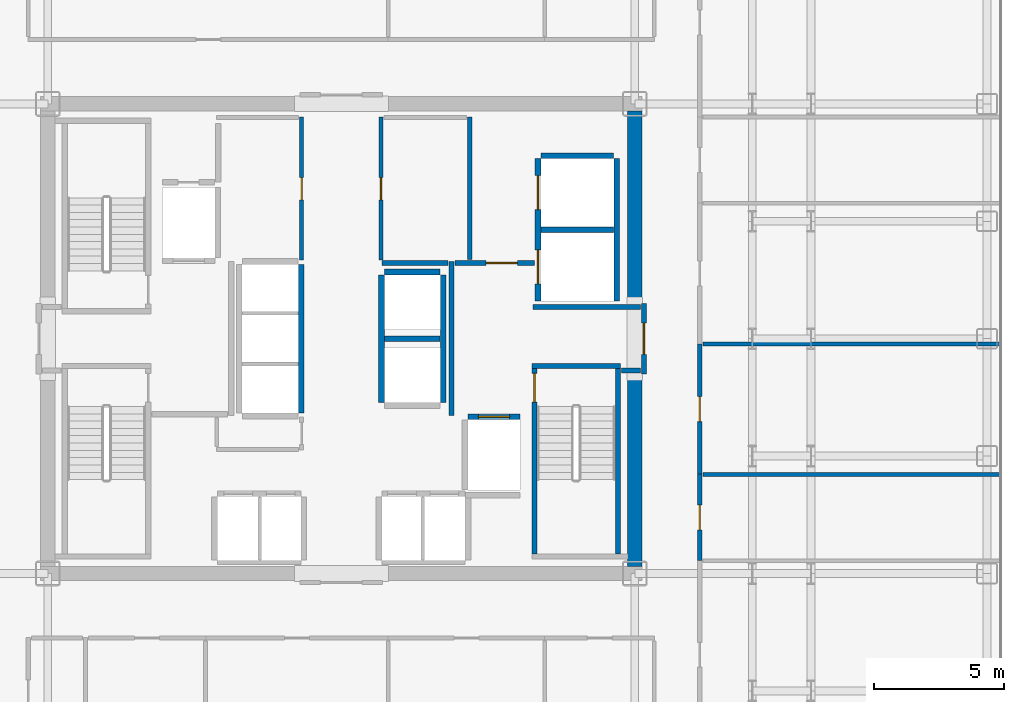
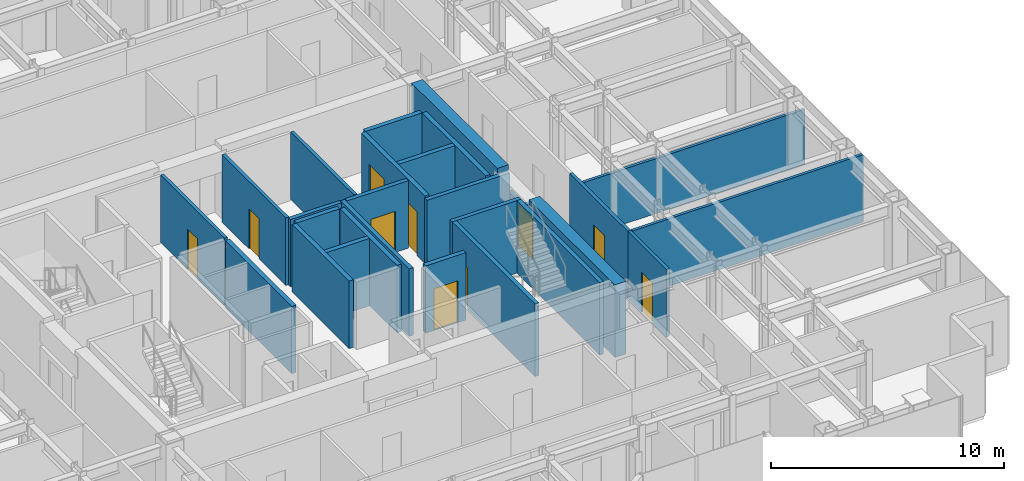
# One storey, part 18 of 22: 28 walls, 10 doors, 10 openings.
"""IFC4 building model written with IfcOpenShell, lengths in metres."""

import ifcopenshell
import ifcopenshell.guid

model = None  # the IFC model being written
_history = None  # IfcOwnerHistory: only IFC2X3 demands one
_inside = {}  # id of a spatial element -> (the spatial element, [elements in it])
_under = {}  # id of a project, library or spatial element -> (it, [spatial elements below it])
_declared = {}  # id of a project -> (the project, [libraries it declares])
_typed = {}  # id of a type object -> (the type object, [elements of that type])
_made_of = {}  # id of a material, layer set ... -> (it, [elements and type objects made of it])


def new_model(schema):
    """Start an empty IFC model of exactly this schema.

    Asked for "IFC4X3", IfcOpenShell would pick the latest addendum, in which some entities
    have other attributes; the version numbers below select the first issue.
    IFC2X3 requires an IfcOwnerHistory on every rooted entity: one is made here for all.
    """
    global model, _history
    if schema == "IFC4X3":
        model = ifcopenshell.file(schema_version=(4, 3, 0, 0))
    else:
        model = ifcopenshell.file(schema=schema)
    _inside.clear()
    _under.clear()
    _declared.clear()
    _typed.clear()
    _made_of.clear()
    _history = None
    if model.schema == "IFC2X3":
        org = make("IfcOrganization", Name="unknown")
        user = make(
            "IfcPersonAndOrganization",
            ThePerson=make("IfcPerson", FamilyName="unknown"),
            TheOrganization=org,
        )
        app = make(
            "IfcApplication",
            ApplicationDeveloper=org,
            Version="unknown",
            ApplicationFullName="unknown",
            ApplicationIdentifier="unknown",
        )
        _history = make(
            "IfcOwnerHistory",
            OwningUser=user,
            OwningApplication=app,
            ChangeAction="ADDED",
            CreationDate=0,
        )
    return model


def make(cls, **values):
    """One entity of the class cls with the attributes given. An attribute that is None is left unset."""
    return model.create_entity(
        cls, **{name: value for name, value in values.items() if value is not None}
    )


def rooted(cls, **values):
    """An entity with a GlobalId (a new one), such as an element, a storey or a relation."""
    return make(cls, GlobalId=ifcopenshell.guid.new(), OwnerHistory=_history, **values)


def si_unit(unit_type, name, prefix=None):
    """IfcSIUnit, for example si_unit("LENGTHUNIT", "METRE", prefix="MILLI")."""
    return make("IfcSIUnit", UnitType=unit_type, Prefix=prefix, Name=name)


def assignment(units):
    """IfcUnitAssignment: the units of a project."""
    return None if units is None else make("IfcUnitAssignment", Units=units)


def point(xyz):
    """IfcCartesianPoint."""
    return None if xyz is None else make("IfcCartesianPoint", Coordinates=xyz)


def direction(xyz):
    """IfcDirection."""
    return None if xyz is None else make("IfcDirection", DirectionRatios=xyz)


def frame(location, z_axis=None, x_axis=None):
    """IfcAxis2Placement3D, a coordinate frame: its origin and axes. An axis left out is left unset."""
    return make(
        "IfcAxis2Placement3D",
        Location=point(location),
        Axis=direction(z_axis),
        RefDirection=direction(x_axis),
    )


def frame_2d(location, x_axis=None):
    """IfcAxis2Placement2D, a coordinate frame in the plane: its origin and x axis."""
    return make(
        "IfcAxis2Placement2D", Location=point(location), RefDirection=direction(x_axis)
    )


def origin():
    """The frame at (0, 0, 0) with its axes left unset."""
    return frame((0.0, 0.0, 0.0))


def place(relative_to, where):
    """IfcLocalPlacement: puts the frame where relative to a parent placement (None: the world)."""
    return make(
        "IfcLocalPlacement", PlacementRelTo=relative_to, RelativePlacement=where
    )


def context(
    kind, dimensions, precision=None, world=None, true_north=None, identifier=None
):
    """IfcGeometricRepresentationContext, for example the 3D "Model" context."""
    return make(
        "IfcGeometricRepresentationContext",
        ContextIdentifier=identifier,
        ContextType=kind,
        CoordinateSpaceDimension=dimensions,
        Precision=precision,
        WorldCoordinateSystem=world,
        TrueNorth=true_north,
    )


def subcontext(parent, identifier, kind, view, scale=None):
    """IfcGeometricRepresentationSubContext, for example "Body" below "Model"."""
    return make(
        "IfcGeometricRepresentationSubContext",
        ContextIdentifier=identifier,
        ContextType=kind,
        ParentContext=parent,
        TargetScale=scale,
        TargetView=view,
    )


def project(units=None, contexts=None):
    """IfcProject with its units and contexts."""
    return rooted(
        "IfcProject",
        Name="project",
        RepresentationContexts=contexts,
        UnitsInContext=assignment(units),
    )


def spatial(cls, under=None, at=None, **own):
    """A site, building, storey or space (cls), placed at a placement, below another one or the project."""
    s = rooted(cls, ObjectPlacement=at, **own)
    if under is not None:
        _under.setdefault(under.id(), (under, []))[1].append(s)
    return s


def profile(cls, at=None, kind="AREA", **sizes):
    """A parametric profile (cls). Its sizes go by their IFC names, for example OverallWidth=200.0."""
    return make(cls, ProfileType=kind, Position=at, **sizes)


def rectangle(**sizes):
    """IfcRectangleProfileDef."""
    return profile("IfcRectangleProfileDef", **sizes)


def extrude(swept, where, along, depth):
    """IfcExtrudedAreaSolid: the profile swept, set in the frame where, extruded along a direction by depth."""
    return make(
        "IfcExtrudedAreaSolid",
        SweptArea=swept,
        Position=where,
        ExtrudedDirection=direction(along),
        Depth=depth,
    )


def shape(context_of_items, identifier, shape_type, items):
    """IfcShapeRepresentation: the items that make up one representation, for example the "Body"."""
    return make(
        "IfcShapeRepresentation",
        ContextOfItems=context_of_items,
        RepresentationIdentifier=identifier,
        RepresentationType=shape_type,
        Items=items,
    )


def source(mapping_origin, context_of_items, identifier, shape_type, items):
    """IfcRepresentationMap: a shape defined once, which mapped items show again and again."""
    return make(
        "IfcRepresentationMap",
        MappingOrigin=mapping_origin,
        MappedRepresentation=shape(context_of_items, identifier, shape_type, items),
    )


def transform(
    local_origin,
    x_axis=None,
    y_axis=None,
    z_axis=None,
    scale=None,
    scale2=None,
    scale3=None,
    uniform=True,
):
    """IfcCartesianTransformationOperator3D, or its non-uniform kind. x_axis, y_axis, z_axis: its Axis1, 2, 3."""
    if uniform:
        return make(
            "IfcCartesianTransformationOperator3D",
            Axis1=direction(x_axis),
            Axis2=direction(y_axis),
            LocalOrigin=point(local_origin),
            Scale=scale,
            Axis3=direction(z_axis),
        )
    return make(
        "IfcCartesianTransformationOperator3DnonUniform",
        Axis1=direction(x_axis),
        Axis2=direction(y_axis),
        LocalOrigin=point(local_origin),
        Scale=scale,
        Axis3=direction(z_axis),
        Scale2=scale2,
        Scale3=scale3,
    )


def mapped(mapping_source, mapping_target):
    """IfcMappedItem: shows the shape of a source again, moved by a transform."""
    return make(
        "IfcMappedItem", MappingSource=mapping_source, MappingTarget=mapping_target
    )


def material(Name=None, Category=None):
    """IfcMaterial."""
    return make("IfcMaterial", Name=Name, Category=Category)


def layer(
    of_material, thickness, ventilated=None, Name=None, Category=None, Priority=None
):
    """IfcMaterialLayer: one layer of a wall or slab, of a material (None: an air gap)."""
    return make(
        "IfcMaterialLayer",
        Material=of_material,
        LayerThickness=thickness,
        IsVentilated=ventilated,
        Name=Name,
        Category=Category,
        Priority=Priority,
    )


def layer_set(layers, Name=None):
    """IfcMaterialLayerSet."""
    return make("IfcMaterialLayerSet", MaterialLayers=layers, LayerSetName=Name)


def made_of(thing, what):
    """Note that an element or type object is made of a material, layer set ...; save() writes the relation."""
    if what is not None:
        _made_of.setdefault(what.id(), (what, []))[1].append(thing)
    return thing


def type_object(cls, material=None, **own):
    """A type object (cls), such as IfcWallType, which elements share."""
    return made_of(rooted(cls, **own), material)


def element(
    cls,
    number,
    at=None,
    inside=None,
    cuts=None,
    type_object=None,
    material=None,
    context=None,
    identifier="Body",
    shape_type=None,
    held_by="IfcProductDefinitionShape",
    body=None,
    shapes=None,
    **own,
):
    """One element of the class cls, such as IfcWall. Its Tag is "e" and its number.

    at: its placement. inside: the storey or other place that contains it. cuts: it is an
    opening in that element (IfcRelVoidsElement). A single representation is given by context,
    identifier, shape_type and body (its items); several are given by shapes. held_by: the class
    of the entity that holds the representations. save() writes the other relations.
    """
    e = rooted(cls, Tag="e%d" % number, ObjectPlacement=at, **own)
    if body is not None:
        shapes = [shape(context, identifier, shape_type, body)]
    if shapes is not None:
        e.Representation = make(held_by, Representations=shapes)
    if inside is not None:
        _inside.setdefault(inside.id(), (inside, []))[1].append(e)
    if cuts is not None:
        rooted(
            "IfcRelVoidsElement", RelatingBuildingElement=cuts, RelatedOpeningElement=e
        )
    if type_object is not None:
        _typed.setdefault(type_object.id(), (type_object, []))[1].append(e)
    return made_of(e, material)


def fill(opening, filler):
    """IfcRelFillsElement: the door or window that sits in an opening."""
    return rooted(
        "IfcRelFillsElement",
        RelatingOpeningElement=opening,
        RelatedBuildingElement=filler,
    )


def aggregate(whole, parts):
    """IfcRelAggregates: a whole, such as a stair, and the parts it consists of."""
    return rooted("IfcRelAggregates", RelatingObject=whole, RelatedObjects=parts)


def save(model, path):
    """Write the relations noted so far, then the file.

    IfcRelAggregates (storeys below a building ...), IfcRelContainedInSpatialStructure (elements
    in a storey), IfcRelDefinesByType, IfcRelAssociatesMaterial and IfcRelDeclares: one each for
    every whole, place, type object, material and project.
    """
    for whole, parts in _under.values():
        aggregate(whole, parts)
    for where, things in _inside.values():
        rooted(
            "IfcRelContainedInSpatialStructure",
            RelatedElements=things,
            RelatingStructure=where,
        )
    for kind, things in _typed.values():
        rooted("IfcRelDefinesByType", RelatedObjects=things, RelatingType=kind)
    for what, things in _made_of.values():
        rooted("IfcRelAssociatesMaterial", RelatedObjects=things, RelatingMaterial=what)
    for by, libraries in _declared.values():
        rooted("IfcRelDeclares", RelatingContext=by, RelatedDefinitions=libraries)
    model.write(path)


model = new_model("IFC4")

# Units and contexts
model_context = context("Model", 3, precision=1e-05, world=origin(), true_north=direction((0.0, 1.0)))
body_context = subcontext(model_context, "Body", "Model", "MODEL_VIEW")
ifc_project = project(units=[si_unit("LENGTHUNIT", "METRE"), si_unit("AREAUNIT", "SQUARE_METRE"), si_unit("VOLUMEUNIT", "CUBIC_METRE"), si_unit("PLANEANGLEUNIT", "RADIAN"), si_unit("MASSUNIT", "GRAM", prefix="KILO")], contexts=[model_context])

# Site, building, storey
site_placement = place(None, origin())
site = spatial("IfcSite", under=ifc_project, at=site_placement, CompositionType="ELEMENT")
building_placement = place(site_placement, origin())
building = spatial("IfcBuilding", under=site, at=building_placement, Name="Nefas-Gora Pilgrimage Tower", CompositionType="ELEMENT")
storey_placement = place(building_placement, frame((0.0, 0.0, 179.199951171875)))
storey = spatial("IfcBuildingStorey", under=building, at=storey_placement, Name="L44", CompositionType="ELEMENT", Elevation=179.199951171875)

# Walls
ifc_material_1 = material(Name="Concrete C60/75", Category="concrete")
ifc_layer_1 = layer(ifc_material_1, 0.550048828125)
ifc_layer_set_1 = layer_set([ifc_layer_1], Name="Concrete C60/75")
wall_type_1 = type_object("IfcWallType", Name="SW-CORE-550", PredefinedType="SHEAR", material=ifc_layer_set_1)
shared_shape_1 = source(origin(), body_context, "Body", "SweptSolid", [
    extrude(rectangle(XDim=7.375, YDim=0.550048828125, at=frame_2d((3.6875, 0.0))), origin(), (0.0, 0.0, 1.0), 3.800048828125),
])
for number, where, z_axis, x_axis, name in (
    (1, (11.25, -8.72509765625, 0.0), (0.0, 0.0, 1.0), (0.0, 1.0, 0.0), "L44 Core Shear Wall E-South"),
    (2, (11.25, 1.35009765625, 0.0), (0.0, 0.0, 1.0), (0.0, 1.0, 0.0), "L44 Core Shear Wall E-North"),
):
    element("IfcWall", number, at=place(storey_placement, frame(where, z_axis=z_axis, x_axis=x_axis)), inside=storey, type_object=wall_type_1, Name=name, PredefinedType="SHEAR", context=body_context, shape_type="MappedRepresentation", body=[
        mapped(shared_shape_1, transform((0.0, 0.0, 0.0), x_axis=(1.0, 0.0, 0.0), y_axis=(0.0, 1.0, 0.0), z_axis=(0.0, 0.0, 1.0), scale=1.0)),
    ])
ifc_material_2 = material(Name="Concrete C45/55", Category="concrete")
ifc_layer_2 = layer(ifc_material_2, 0.199951171875)
ifc_layer_set_2 = layer_set([ifc_layer_2], Name="Concrete C45/55")
wall_type_2 = type_object("IfcWallType", Name="IW-STAIR-200", PredefinedType="SOLIDWALL", material=ifc_layer_set_2)
shared_shape_2 = source(origin(), body_context, "Body", "SweptSolid", [
    extrude(rectangle(XDim=3.39990234375, YDim=0.199951171875, at=frame_2d((1.699951171875, 0.0))), origin(), (0.0, 0.0, 1.0), 3.800048828125),
])
wall_1_placement = place(storey_placement, frame((7.300048828125, -1.050048828125, 0.0), z_axis=(0.0, 0.0, 1.0), x_axis=(1.0, 0.0, 0.0)))
element("IfcWall", 3, at=wall_1_placement, inside=storey, type_object=wall_type_2, Name="L44 Stairwell Shear Wall ST-02-near", PredefinedType="SOLIDWALL", context=body_context, shape_type="MappedRepresentation", body=[
    mapped(shared_shape_2, transform((0.0, 0.0, 0.0), x_axis=(1.0, 0.0, 0.0), y_axis=(0.0, 1.0, 0.0), z_axis=(0.0, 0.0, 1.0), scale=1.0)),
])

# Wall, opening, door
shared_shape_3 = source(origin(), body_context, "Body", "SweptSolid", [
    extrude(rectangle(XDim=7.10009765625, YDim=0.199951171875, at=frame_2d((3.550048828125, 0.0))), origin(), (0.0, 0.0, 1.0), 3.800048828125),
])
wall_2_placement = place(storey_placement, frame((7.39990234375, -1.14990234375, 0.0), z_axis=(0.0, 0.0, 1.0), x_axis=(0.0, -1.0, 0.0)))
wall_2 = element("IfcWall", 4, at=wall_2_placement, inside=storey, type_object=wall_type_2, Name="L44 Stairwell Shear Wall ST-02-left", PredefinedType="SOLIDWALL", context=body_context, shape_type="MappedRepresentation", body=[
    mapped(shared_shape_3, transform((0.0, 0.0, 0.0), x_axis=(1.0, 0.0, 0.0), y_axis=(0.0, 1.0, 0.0), z_axis=(0.0, 0.0, 1.0), scale=1.0)),
])
opening_1_placement = place(wall_2_placement, frame((0.179931640625, 0.0, 0.0)))
opening_1 = element("IfcOpeningElement", 5, at=opening_1_placement, cuts=wall_2, Name="Opening ID-ST1", PredefinedType="OPENING", context=body_context, shape_type="SweptSolid", body=[
    extrude(rectangle(XDim=1.10009765625, YDim=2.14990234375, at=frame_2d((0.550048828125, 1.074951171875))), frame((0.0, 0.10986328125, 0.0), z_axis=(0.0, -1.0, 0.0), x_axis=(1.0, 0.0, 0.0)), (0.0, 0.0, 1.0), 0.219970703125),
])
ifc_material_3 = material(Name="Painted galvanised steel fire stair door", Category="steel")
door_type_1 = type_object("IfcDoorType", Name="DR-INT-STAIR-1100", OperationType="NOTDEFINED", PredefinedType="DOOR", material=ifc_material_3)
shared_shape_4 = source(origin(), body_context, "Body", "SweptSolid", [
    extrude(rectangle(XDim=1.10009765625, YDim=2.14990234375, at=frame_2d((0.550048828125, 1.074951171875))), frame((0.0, 0.02490234375, 0.0), z_axis=(0.0, -1.0, 0.0), x_axis=(1.0, 0.0, 0.0)), (0.0, 0.0, 1.0), 0.050048828125),
])
door_1_placement = place(opening_1_placement, origin())
door_1 = element("IfcDoor", 6, at=door_1_placement, inside=storey, type_object=door_type_1, Name="L44 Protected Exit Stair Door ST-02", OperationType="SINGLE_SWING_LEFT", OverallHeight=2.14990234375, OverallWidth=1.10009765625, PredefinedType="DOOR", context=body_context, shape_type="MappedRepresentation", body=[
    mapped(shared_shape_4, transform((0.0, 0.0, 0.0), x_axis=(1.0, 0.0, 0.0), y_axis=(0.0, 1.0, 0.0), z_axis=(0.0, 0.0, 1.0), scale=1.0)),
])
fill(opening_1, door_1)

# Wall
wall_3_placement = place(storey_placement, frame((10.60009765625, -1.14990234375, 0.0), z_axis=(0.0, 0.0, 1.0), x_axis=(0.0, -1.0, 0.0)))
element("IfcWall", 7, at=wall_3_placement, inside=storey, type_object=wall_type_2, Name="L44 Stairwell Shear Wall ST-02-right", PredefinedType="SOLIDWALL", context=body_context, shape_type="MappedRepresentation", body=[
    mapped(shared_shape_3, transform((0.0, 0.0, 0.0), x_axis=(1.0, 0.0, 0.0), y_axis=(0.0, 1.0, 0.0), z_axis=(0.0, 0.0, 1.0), scale=1.0)),
])

# Wall, opening, door
ifc_material_4 = material(Name="Concrete C40/50", Category="concrete")
ifc_layer_3 = layer(ifc_material_4, 0.219970703125)
ifc_layer_set_3 = layer_set([ifc_layer_3], Name="Concrete C40/50")
wall_type_3 = type_object("IfcWallType", Name="IW-SHAFT-220", PredefinedType="SOLIDWALL", material=ifc_layer_set_3)
shared_shape_5 = source(origin(), body_context, "Body", "SweptSolid", [
    extrude(rectangle(XDim=2.0, YDim=0.219970703125, at=frame_2d((1.0, 0.0))), origin(), (0.0, 0.0, 1.0), 3.53515625),
])
wall_4_placement = place(storey_placement, frame((6.85009765625, -2.989990234375, 0.0), z_axis=(0.0, 0.0, 1.0), x_axis=(-1.0, 0.0, 0.0)))
wall_4 = element("IfcWall", 8, at=wall_4_placement, inside=storey, type_object=wall_type_3, Name="L44 Hoistway Wall FFL-02-N", PredefinedType="SOLIDWALL", context=body_context, shape_type="MappedRepresentation", body=[
    mapped(shared_shape_5, transform((0.0, 0.0, 0.0), x_axis=(1.0, 0.0, 0.0), y_axis=(0.0, 1.0, 0.0), z_axis=(0.0, 0.0, 1.0), scale=1.0)),
])
opening_2_placement = place(wall_4_placement, frame((0.39990234375, 0.0, 0.0)))
opening_2 = element("IfcOpeningElement", 9, at=opening_2_placement, cuts=wall_4, Name="Opening LD-FF", PredefinedType="OPENING", context=body_context, shape_type="SweptSolid", body=[
    extrude(rectangle(XDim=1.199951171875, YDim=2.199951171875, at=frame_2d((0.60009765625, 1.10009765625))), frame((0.0, 0.119873046875, 0.0), z_axis=(0.0, -1.0, 0.0), x_axis=(1.0, 0.0, 0.0)), (0.0, 0.0, 1.0), 0.239990234375),
])
ifc_material_5 = material(Name="Fire-service sliding lift landing door")
door_type_2 = type_object("IfcDoorType", Name="DR-LIFT-FSAE-1200", OperationType="SLIDING_TO_LEFT", PredefinedType="DOOR", material=ifc_material_5)
shared_shape_6 = source(origin(), body_context, "Body", "SweptSolid", [
    extrude(rectangle(XDim=1.199951171875, YDim=2.199951171875, at=frame_2d((0.60009765625, 1.10009765625))), frame((0.0, 0.02490234375, 0.0), z_axis=(0.0, -1.0, 0.0), x_axis=(1.0, 0.0, 0.0)), (0.0, 0.0, 1.0), 0.050048828125),
])
door_2_placement = place(opening_2_placement, origin())
door_2 = element("IfcDoor", 10, at=door_2_placement, inside=storey, type_object=door_type_2, Name="L44 Sliding Lift Landing Door FFL-02", OperationType="SLIDING_TO_LEFT", OverallHeight=2.199951171875, OverallWidth=1.199951171875, PredefinedType="DOOR", context=body_context, shape_type="MappedRepresentation", body=[
    mapped(shared_shape_6, transform((0.0, 0.0, 0.0), x_axis=(1.0, 0.0, 0.0), y_axis=(0.0, 1.0, 0.0), z_axis=(0.0, 0.0, 1.0), scale=1.0)),
])
fill(opening_2, door_2)

# Wall, openings, doors
shared_shape_7 = source(origin(), body_context, "Body", "SweptSolid", [
    extrude(rectangle(XDim=5.449951171875, YDim=0.219970703125, at=frame_2d((2.72509765625, 0.0))), origin(), (0.0, 0.0, 1.0), 3.53515625),
])
wall_5_placement = place(storey_placement, frame((7.5400390625, 6.89990234375, 0.0), z_axis=(0.0, 0.0, 1.0), x_axis=(0.0, -1.0, 0.0)))
wall_5 = element("IfcWall", 11, at=wall_5_placement, inside=storey, type_object=wall_type_3, Name="L44 Hoistway Wall SL-01-02-W", PredefinedType="SOLIDWALL", context=body_context, shape_type="MappedRepresentation", body=[
    mapped(shared_shape_7, transform((0.0, 0.0, 0.0), x_axis=(1.0, 0.0, 0.0), y_axis=(0.0, 1.0, 0.0), z_axis=(0.0, 0.0, 1.0), scale=1.0)),
])
opening_3_placement = place(wall_5_placement, frame((3.5, 0.0, 0.0)))
opening_3 = element("IfcOpeningElement", 12, at=opening_3_placement, cuts=wall_5, Name="Opening LD-SV", PredefinedType="OPENING", context=body_context, shape_type="SweptSolid", body=[
    extrude(rectangle(XDim=1.300048828125, YDim=2.300048828125, at=frame_2d((0.64990234375, 1.14990234375))), frame((0.0, 0.119873046875, 0.0), z_axis=(0.0, -1.0, 0.0), x_axis=(1.0, 0.0, 0.0)), (0.0, 0.0, 1.0), 0.239990234375),
])
opening_4_placement = place(wall_5_placement, frame((0.64990234375, 0.0, 0.0)))
opening_4 = element("IfcOpeningElement", 13, at=opening_4_placement, cuts=wall_5, Name="Opening LD-SV", PredefinedType="OPENING", context=body_context, shape_type="SweptSolid", body=[
    extrude(rectangle(XDim=1.300048828125, YDim=2.300048828125, at=frame_2d((0.64990234375, 1.14990234375))), frame((0.0, 0.119873046875, 0.0), z_axis=(0.0, -1.0, 0.0), x_axis=(1.0, 0.0, 0.0)), (0.0, 0.0, 1.0), 0.239990234375),
])
ifc_material_6 = material(Name="Heavy goods sliding lift landing door")
door_type_3 = type_object("IfcDoorType", Name="DR-LIFT-SERV-1300", OperationType="SLIDING_TO_RIGHT", PredefinedType="DOOR", material=ifc_material_6)
shared_shape_8 = source(origin(), body_context, "Body", "SweptSolid", [
    extrude(rectangle(XDim=1.300048828125, YDim=2.300048828125, at=frame_2d((0.64990234375, 1.14990234375))), frame((0.0, 0.02490234375, 0.0), z_axis=(0.0, -1.0, 0.0), x_axis=(1.0, 0.0, 0.0)), (0.0, 0.0, 1.0), 0.050048828125),
])
door_3_placement = place(opening_3_placement, origin())
door_3 = element("IfcDoor", 14, at=door_3_placement, inside=storey, type_object=door_type_3, Name="L44 Sliding Lift Landing Door SL-01", OperationType="SLIDING_TO_RIGHT", OverallHeight=2.300048828125, OverallWidth=1.300048828125, PredefinedType="DOOR", context=body_context, shape_type="MappedRepresentation", body=[
    mapped(shared_shape_8, transform((0.0, 0.0, 0.0), x_axis=(1.0, 0.0, 0.0), y_axis=(0.0, 1.0, 0.0), z_axis=(0.0, 0.0, 1.0), scale=1.0)),
])
fill(opening_3, door_3)
door_4_placement = place(opening_4_placement, origin())
door_4 = element("IfcDoor", 15, at=door_4_placement, inside=storey, type_object=door_type_3, Name="L44 Sliding Lift Landing Door SL-02", OperationType="SLIDING_TO_RIGHT", OverallHeight=2.300048828125, OverallWidth=1.300048828125, PredefinedType="DOOR", context=body_context, shape_type="MappedRepresentation", body=[
    mapped(shared_shape_8, transform((0.0, 0.0, 0.0), x_axis=(1.0, 0.0, 0.0), y_axis=(0.0, 1.0, 0.0), z_axis=(0.0, 0.0, 1.0), scale=1.0)),
])
fill(opening_4, door_4)

# Walls
wall_6_placement = place(storey_placement, frame((10.56005859375, 1.449951171875, 0.0), z_axis=(0.0, 0.0, 1.0), x_axis=(0.0, 1.0, 0.0)))
element("IfcWall", 16, at=wall_6_placement, inside=storey, type_object=wall_type_3, Name="L44 Hoistway Wall SL-01-02-E", PredefinedType="SOLIDWALL", context=body_context, shape_type="MappedRepresentation", body=[
    mapped(shared_shape_7, transform((0.0, 0.0, 0.0), x_axis=(1.0, 0.0, 0.0), y_axis=(0.0, 1.0, 0.0), z_axis=(0.0, 0.0, 1.0), scale=1.0)),
])
shared_shape_9 = source(origin(), body_context, "Body", "SweptSolid", [
    extrude(rectangle(XDim=2.780029296875, YDim=0.219970703125, at=frame_2d((1.39013671875, 0.0))), origin(), (0.0, 0.0, 1.0), 3.53515625),
])
for number, where, z_axis, x_axis, name in (
    (17, (7.659912109375, 4.175048828125, 0.0), (0.0, 0.0, 1.0), (1.0, 0.0, 0.0), "L44 Hoistway Wall SL-01-02-DIV"),
    (18, (10.43994140625, 7.010009765625, 0.0), (0.0, 0.0, 1.0), (-1.0, 0.0, 0.0), "L44 Hoistway Wall SL-02-N"),
):
    element("IfcWall", number, at=place(storey_placement, frame(where, z_axis=z_axis, x_axis=x_axis)), inside=storey, type_object=wall_type_3, Name=name, PredefinedType="SOLIDWALL", context=body_context, shape_type="MappedRepresentation", body=[
        mapped(shared_shape_9, transform((0.0, 0.0, 0.0), x_axis=(1.0, 0.0, 0.0), y_axis=(0.0, 1.0, 0.0), z_axis=(0.0, 0.0, 1.0), scale=1.0)),
    ])
shared_shape_10 = source(origin(), body_context, "Body", "SweptSolid", [
    extrude(rectangle(XDim=5.7001953125, YDim=0.219970703125, at=frame_2d((2.85009765625, 0.0))), origin(), (0.0, 0.0, 1.0), 3.53515625),
])
wall_7_placement = place(storey_placement, frame((-1.5400390625, -2.85009765625, 0.0), z_axis=(0.0, 0.0, 1.0), x_axis=(0.0, 1.0, 0.0)))
element("IfcWall", 19, at=wall_7_placement, inside=storey, type_object=wall_type_3, Name="L44 Hoistway Wall PL3-01-03-E", PredefinedType="SOLIDWALL", context=body_context, shape_type="MappedRepresentation", body=[
    mapped(shared_shape_10, transform((0.0, 0.0, 0.0), x_axis=(1.0, 0.0, 0.0), y_axis=(0.0, 1.0, 0.0), z_axis=(0.0, 0.0, 1.0), scale=1.0)),
])
shared_shape_11 = source(origin(), body_context, "Body", "SweptSolid", [
    extrude(rectangle(XDim=2.130126953125, YDim=0.219970703125, at=frame_2d((1.06494140625, 0.0))), origin(), (0.0, 0.0, 1.0), 3.53515625),
])
for number, where, z_axis, x_axis, name in (
    (20, (1.659912109375, 0.0, 0.0), (0.0, 0.0, 1.0), (1.0, 0.0, 0.0), "L44 Hoistway Wall OBS-01-02-DIV"),
    (21, (3.7900390625, 2.56005859375, 0.0), (0.0, 0.0, 1.0), (-1.0, 0.0, 0.0), "L44 Hoistway Wall OBS-02-N"),
):
    element("IfcWall", number, at=place(storey_placement, frame(where, z_axis=z_axis, x_axis=x_axis)), inside=storey, type_object=wall_type_3, Name=name, PredefinedType="SOLIDWALL", context=body_context, shape_type="MappedRepresentation", body=[
        mapped(shared_shape_11, transform((0.0, 0.0, 0.0), x_axis=(1.0, 0.0, 0.0), y_axis=(0.0, 1.0, 0.0), z_axis=(0.0, 0.0, 1.0), scale=1.0)),
    ])
shared_shape_12 = source(origin(), body_context, "Body", "SweptSolid", [
    extrude(rectangle(XDim=4.89990234375, YDim=0.219970703125, at=frame_2d((2.449951171875, 0.0))), origin(), (0.0, 0.0, 1.0), 3.53515625),
])
for number, where, z_axis, x_axis, name in (
    (22, (1.5400390625, 2.449951171875, 0.0), (0.0, 0.0, 1.0), (0.0, -1.0, 0.0), "L44 Hoistway Wall OBS-01-02-W"),
    (23, (3.909912109375, -2.449951171875, 0.0), (0.0, 0.0, 1.0), (0.0, 1.0, 0.0), "L44 Hoistway Wall OBS-01-02-E"),
):
    element("IfcWall", number, at=place(storey_placement, frame(where, z_axis=z_axis, x_axis=x_axis)), inside=storey, type_object=wall_type_3, Name=name, PredefinedType="SOLIDWALL", context=body_context, shape_type="MappedRepresentation", body=[
        mapped(shared_shape_12, transform((0.0, 0.0, 0.0), x_axis=(1.0, 0.0, 0.0), y_axis=(0.0, 1.0, 0.0), z_axis=(0.0, 0.0, 1.0), scale=1.0)),
    ])

# Wall, opening, door
ifc_material_7 = material(Name="Gypsum fire-rated shaftwall")
ifc_layer_4 = layer(ifc_material_7, 0.199951171875)
ifc_layer_set_4 = layer_set([ifc_layer_4], Name="Gypsum fire-rated shaftwall")
wall_type_4 = type_object("IfcWallType", Name="IW-FFLOB-200", PredefinedType="PARTITIONING", material=ifc_layer_set_4)
shared_shape_13 = source(origin(), body_context, "Body", "SweptSolid", [
    extrude(rectangle(XDim=2.7001953125, YDim=0.199951171875, at=frame_2d((1.35009765625, 0.0))), origin(), (0.0, 0.0, 1.0), 2.425048828125),
])
wall_8_placement = place(storey_placement, frame((11.60009765625, -1.35009765625, 0.0), z_axis=(0.0, 0.0, 1.0), x_axis=(0.0, 1.0, 0.0)))
wall_8 = element("IfcWall", 24, at=wall_8_placement, inside=storey, type_object=wall_type_4, Name="L44 FF Lobby East Portal Wall 9", PredefinedType="PARTITIONING", context=body_context, shape_type="MappedRepresentation", body=[
    mapped(shared_shape_13, transform((0.0, 0.0, 0.0), x_axis=(1.0, 0.0, 0.0), y_axis=(0.0, 1.0, 0.0), z_axis=(0.0, 0.0, 1.0), scale=1.0)),
])
opening_5_placement = place(wall_8_placement, frame((0.75, 0.0, 0.0)))
opening_5 = element("IfcOpeningElement", 25, at=opening_5_placement, cuts=wall_8, Name="Opening ID-FF1", PredefinedType="OPENING", context=body_context, shape_type="SweptSolid", body=[
    extrude(rectangle(XDim=1.199951171875, YDim=2.14990234375, at=frame_2d((0.60009765625, 1.074951171875))), frame((0.0, 0.10986328125, 0.0), z_axis=(0.0, -1.0, 0.0), x_axis=(1.0, 0.0, 0.0)), (0.0, 0.0, 1.0), 0.219970703125),
])
ifc_material_8 = material(Name="Smoke-sealed steel firefighting lobby door", Category="steel")
door_type_4 = type_object("IfcDoorType", Name="DR-INT-FFLOB-1200", OperationType="NOTDEFINED", PredefinedType="DOOR", material=ifc_material_8)
shared_shape_14 = source(origin(), body_context, "Body", "SweptSolid", [
    extrude(rectangle(XDim=1.199951171875, YDim=2.14990234375, at=frame_2d((0.60009765625, 1.074951171875))), frame((0.0, 0.02490234375, 0.0), z_axis=(0.0, -1.0, 0.0), x_axis=(1.0, 0.0, 0.0)), (0.0, 0.0, 1.0), 0.050048828125),
])
door_5_placement = place(opening_5_placement, origin())
door_5 = element("IfcDoor", 26, at=door_5_placement, inside=storey, type_object=door_type_4, Name="L44 FF Lobby East Portal Door 3", OperationType="SINGLE_SWING_RIGHT", OverallHeight=2.14990234375, OverallWidth=1.199951171875, PredefinedType="DOOR", context=body_context, shape_type="MappedRepresentation", body=[
    mapped(shared_shape_14, transform((0.0, 0.0, 0.0), x_axis=(1.0, 0.0, 0.0), y_axis=(0.0, 1.0, 0.0), z_axis=(0.0, 0.0, 1.0), scale=1.0)),
])
fill(opening_5, door_5)

# Walls
shared_shape_15 = source(origin(), body_context, "Body", "SweptSolid", [
    extrude(rectangle(XDim=5.89990234375, YDim=0.199951171875, at=frame_2d((2.949951171875, 0.0))), origin(), (0.0, 0.0, 1.0), 3.53515625),
])
wall_9_placement = place(storey_placement, frame((4.219970703125, -2.949951171875, 0.0), z_axis=(0.0, 0.0, 1.0), x_axis=(0.0, 1.0, 0.0)))
element("IfcWall", 27, at=wall_9_placement, inside=storey, type_object=wall_type_4, Name="L44 FF Lobby East Inner Wall Wall 10", PredefinedType="PARTITIONING", context=body_context, shape_type="MappedRepresentation", body=[
    mapped(shared_shape_15, transform((0.0, 0.0, 0.0), x_axis=(1.0, 0.0, 0.0), y_axis=(0.0, 1.0, 0.0), z_axis=(0.0, 0.0, 1.0), scale=1.0)),
])
shared_shape_16 = source(origin(), body_context, "Body", "SweptSolid", [
    extrude(rectangle(XDim=0.719970703125, YDim=0.199951171875, at=frame_2d((0.35986328125, 0.0))), origin(), (0.0, 0.0, 1.0), 3.53515625),
])
wall_10_placement = place(storey_placement, frame((10.739990234375, -1.219970703125, 0.0), z_axis=(0.0, 0.0, 1.0), x_axis=(1.0, 0.0, 0.0)))
element("IfcWall", 28, at=wall_10_placement, inside=storey, type_object=wall_type_4, Name="L44 FF Lobby East Throat S Wall 14", PredefinedType="PARTITIONING", context=body_context, shape_type="MappedRepresentation", body=[
    mapped(shared_shape_16, transform((0.0, 0.0, 0.0), x_axis=(1.0, 0.0, 0.0), y_axis=(0.0, 1.0, 0.0), z_axis=(0.0, 0.0, 1.0), scale=1.0)),
])

# Wall, opening, door
shared_shape_17 = source(origin(), body_context, "Body", "SweptSolid", [
    extrude(rectangle(XDim=3.039794921875, YDim=0.199951171875, at=frame_2d((1.52001953125, 0.0))), origin(), (0.0, 0.0, 1.0), 3.53515625),
])
wall_11_placement = place(storey_placement, frame((4.360107421875, 2.89990234375, 0.0), z_axis=(0.0, 0.0, 1.0), x_axis=(1.0, 0.0, 0.0)))
wall_11 = element("IfcWall", 29, at=wall_11_placement, inside=storey, type_object=wall_type_4, Name="L44 FF Lobby East North Wall Wall 12", PredefinedType="PARTITIONING", context=body_context, shape_type="MappedRepresentation", body=[
    mapped(shared_shape_17, transform((0.0, 0.0, 0.0), x_axis=(1.0, 0.0, 0.0), y_axis=(0.0, 1.0, 0.0), z_axis=(0.0, 0.0, 1.0), scale=1.0)),
])
opening_6_placement = place(wall_11_placement, frame((1.18994140625, 0.0, 0.0)))
opening_6 = element("IfcOpeningElement", 30, at=opening_6_placement, cuts=wall_11, Name="Opening ID-PL1", PredefinedType="OPENING", context=body_context, shape_type="SweptSolid", body=[
    extrude(rectangle(XDim=1.199951171875, YDim=2.14990234375, at=frame_2d((0.60009765625, 1.074951171875))), frame((0.0, 0.10986328125, 0.0), z_axis=(0.0, -1.0, 0.0), x_axis=(1.0, 0.0, 0.0)), (0.0, 0.0, 1.0), 0.219970703125),
])
ifc_material_9 = material(Name="Heavy-duty steel plant room fire door", Category="steel")
door_type_5 = type_object("IfcDoorType", Name="DR-INT-PLANT-1200", OperationType="NOTDEFINED", PredefinedType="DOOR", material=ifc_material_9)
door_6_placement = place(opening_6_placement, origin())
door_6 = element("IfcDoor", 31, at=door_6_placement, inside=storey, type_object=door_type_5, Name="L44 Service Lift Lobby Door Door 4", OperationType="SINGLE_SWING_LEFT", OverallHeight=2.14990234375, OverallWidth=1.199951171875, PredefinedType="DOOR", context=body_context, shape_type="MappedRepresentation", body=[
    mapped(shared_shape_14, transform((0.0, 0.0, 0.0), x_axis=(1.0, 0.0, 0.0), y_axis=(0.0, 1.0, 0.0), z_axis=(0.0, 0.0, 1.0), scale=1.0)),
])
fill(opening_6, door_6)

# Wall
shared_shape_18 = source(origin(), body_context, "Body", "SweptSolid", [
    extrude(rectangle(XDim=4.10986328125, YDim=0.199951171875, at=frame_2d((2.054931640625, 0.0))), origin(), (0.0, 0.0, 1.0), 3.53515625),
])
wall_12_placement = place(storey_placement, frame((7.35009765625, 1.219970703125, 0.0), z_axis=(0.0, 0.0, 1.0), x_axis=(1.0, 0.0, 0.0)))
element("IfcWall", 32, at=wall_12_placement, inside=storey, type_object=wall_type_4, Name="L44 FF Lobby East Throat N Wall 13", PredefinedType="PARTITIONING", context=body_context, shape_type="MappedRepresentation", body=[
    mapped(shared_shape_18, transform((0.0, 0.0, 0.0), x_axis=(1.0, 0.0, 0.0), y_axis=(0.0, 1.0, 0.0), z_axis=(0.0, 0.0, 1.0), scale=1.0)),
])

# Wall, opening, door
ifc_material_10 = material(Name="Gypsum acoustic stud partition")
ifc_layer_5 = layer(ifc_material_10, 0.159912109375)
ifc_layer_set_5 = layer_set([ifc_layer_5], Name="Gypsum acoustic stud partition")
wall_type_5 = type_object("IfcWallType", Name="IW-CORR-160", PredefinedType="PARTITIONING", material=ifc_layer_set_5)
shared_shape_19 = source(origin(), body_context, "Body", "SweptSolid", [
    extrude(rectangle(XDim=3.309814453125, YDim=0.159912109375, at=frame_2d((1.65478515625, 0.0))), origin(), (0.0, 0.0, 1.0), 3.53515625),
])
wall_13_placement = place(storey_placement, frame((13.739990234375, -8.5048828125, 0.0), z_axis=(0.0, 0.0, 1.0), x_axis=(0.0, 1.0, 0.0)))
wall_13 = element("IfcWall", 33, at=wall_13_placement, inside=storey, type_object=wall_type_5, Name="L44 Pastoral Chaplains Counselling Office Partition Wall 37", PredefinedType="PARTITIONING", context=body_context, shape_type="MappedRepresentation", body=[
    mapped(shared_shape_19, transform((0.0, 0.0, 0.0), x_axis=(1.0, 0.0, 0.0), y_axis=(0.0, 1.0, 0.0), z_axis=(0.0, 0.0, 1.0), scale=1.0)),
])
opening_7_placement = place(wall_13_placement, frame((1.179931640625, 0.0, 0.0)))
opening_7 = element("IfcOpeningElement", 34, at=opening_7_placement, cuts=wall_13, Name="Opening ID-GR1", PredefinedType="OPENING", context=body_context, shape_type="SweptSolid", body=[
    extrude(rectangle(XDim=0.949951171875, YDim=2.10009765625, at=frame_2d((0.47509765625, 1.050048828125))), frame((0.0, 0.08984375, 0.0), z_axis=(0.0, -1.0, 0.0), x_axis=(1.0, 0.0, 0.0)), (0.0, 0.0, 1.0), 0.179931640625),
])
ifc_material_11 = material(Name="Solid core oak fire-rated guest entrance door")
door_type_6 = type_object("IfcDoorType", Name="DR-INT-GUEST-950", OperationType="NOTDEFINED", PredefinedType="DOOR", material=ifc_material_11)
shared_shape_20 = source(origin(), body_context, "Body", "SweptSolid", [
    extrude(rectangle(XDim=0.949951171875, YDim=2.10009765625, at=frame_2d((0.47509765625, 1.050048828125))), frame((0.0, 0.02490234375, 0.0), z_axis=(0.0, -1.0, 0.0), x_axis=(1.0, 0.0, 0.0)), (0.0, 0.0, 1.0), 0.050048828125),
])
door_7_placement = place(opening_7_placement, origin())
door_7 = element("IfcDoor", 35, at=door_7_placement, inside=storey, type_object=door_type_6, Name="L44 Pastoral Chaplains Counselling Office Door 16", OperationType="SINGLE_SWING_LEFT", OverallHeight=2.10009765625, OverallWidth=0.949951171875, PredefinedType="DOOR", context=body_context, shape_type="MappedRepresentation", body=[
    mapped(shared_shape_20, transform((0.0, 0.0, 0.0), x_axis=(1.0, 0.0, 0.0), y_axis=(0.0, 1.0, 0.0), z_axis=(0.0, 0.0, 1.0), scale=1.0)),
])
fill(opening_7, door_7)

# Walls
ifc_material_12 = material(Name="Gypsum twin-stud partition")
ifc_layer_6 = layer(ifc_material_12, 0.139892578125)
ifc_layer_set_6 = layer_set([ifc_layer_6], Name="Gypsum twin-stud partition")
wall_type_6 = type_object("IfcWallType", Name="IW-UNIT-140", PredefinedType="PARTITIONING", material=ifc_layer_set_6)
shared_shape_21 = source(origin(), body_context, "Body", "SweptSolid", [
    extrude(rectangle(XDim=11.429931640625, YDim=0.139892578125, at=frame_2d((5.71484375, 0.0))), origin(), (0.0, 0.0, 1.0), 2.875),
])
wall_14_placement = place(storey_placement, frame((13.860107421875, -0.205078125, 0.0), z_axis=(0.0, 0.0, 1.0), x_axis=(1.0, 0.0, 0.0)))
element("IfcWall", 36, at=wall_14_placement, inside=storey, type_object=wall_type_6, Name="L44 Pilgrim Contemplative Lounge Partition Wall 40", PredefinedType="PARTITIONING", context=body_context, shape_type="MappedRepresentation", body=[
    mapped(shared_shape_21, transform((0.0, 0.0, 0.0), x_axis=(1.0, 0.0, 0.0), y_axis=(0.0, 1.0, 0.0), z_axis=(0.0, 0.0, 1.0), scale=1.0)),
])
shared_shape_22 = source(origin(), body_context, "Body", "SweptSolid", [
    extrude(rectangle(XDim=2.52001953125, YDim=0.199951171875, at=frame_2d((1.260009765625, 0.0))), origin(), (0.0, 0.0, 1.0), 3.53515625),
])
wall_15_placement = place(storey_placement, frame((1.56005859375, 2.89990234375, 0.0), z_axis=(0.0, 0.0, 1.0), x_axis=(1.0, 0.0, 0.0)))
element("IfcWall", 37, at=wall_15_placement, inside=storey, type_object=wall_type_4, Name="L44 FF Lobby East North Wall Wall 11", PredefinedType="PARTITIONING", context=body_context, shape_type="MappedRepresentation", body=[
    mapped(shared_shape_22, transform((0.0, 0.0, 0.0), x_axis=(1.0, 0.0, 0.0), y_axis=(0.0, 1.0, 0.0), z_axis=(0.0, 0.0, 1.0), scale=1.0)),
])
shared_shape_23 = source(origin(), body_context, "Body", "SweptSolid", [
    extrude(rectangle(XDim=5.449951171875, YDim=0.159912109375, at=frame_2d((2.72509765625, 0.0))), origin(), (0.0, 0.0, 1.0), 3.53515625),
])
wall_16_placement = place(storey_placement, frame((4.919921875, 3.0400390625, 0.0), z_axis=(0.0, 0.0, 1.0), x_axis=(0.0, 1.0, 0.0)))
element("IfcWall", 38, at=wall_16_placement, inside=storey, type_object=wall_type_5, Name="L44 Service Lift Lobby West Wall Wall 17", PredefinedType="PARTITIONING", context=body_context, shape_type="MappedRepresentation", body=[
    mapped(shared_shape_23, transform((0.0, 0.0, 0.0), x_axis=(1.0, 0.0, 0.0), y_axis=(0.0, 1.0, 0.0), z_axis=(0.0, 0.0, 1.0), scale=1.0)),
])
shared_shape_24 = source(origin(), body_context, "Body", "SweptSolid", [
    extrude(rectangle(XDim=11.429931640625, YDim=0.139892578125, at=frame_2d((5.71484375, 0.0))), origin(), (0.0, 0.0, 1.0), 3.53515625),
])
wall_17_placement = place(storey_placement, frame((13.860107421875, -5.205078125, 0.0), z_axis=(0.0, 0.0, 1.0), x_axis=(1.0, 0.0, 0.0)))
element("IfcWall", 39, at=wall_17_placement, inside=storey, type_object=wall_type_6, Name="L44 Pastoral Chaplains Counselling Office Partition Wall 38", PredefinedType="PARTITIONING", context=body_context, shape_type="MappedRepresentation", body=[
    mapped(shared_shape_24, transform((0.0, 0.0, 0.0), x_axis=(1.0, 0.0, 0.0), y_axis=(0.0, 1.0, 0.0), z_axis=(0.0, 0.0, 1.0), scale=1.0)),
])

# Wall, opening, door
shared_shape_25 = source(origin(), body_context, "Body", "SweptSolid", [
    extrude(rectangle(XDim=5.47998046875, YDim=0.159912109375, at=frame_2d((2.739990234375, 0.0))), origin(), (0.0, 0.0, 1.0), 3.53515625),
])
wall_18_placement = place(storey_placement, frame((-1.52001953125, 3.010009765625, 0.0), z_axis=(0.0, 0.0, 1.0), x_axis=(0.0, 1.0, 0.0)))
wall_18 = element("IfcWall", 40, at=wall_18_placement, inside=storey, type_object=wall_type_5, Name="L44 Housekeeping and Linen Store Wall 18", PredefinedType="PARTITIONING", context=body_context, shape_type="MappedRepresentation", body=[
    mapped(shared_shape_25, transform((0.0, 0.0, 0.0), x_axis=(1.0, 0.0, 0.0), y_axis=(0.0, 1.0, 0.0), z_axis=(0.0, 0.0, 1.0), scale=1.0)),
])
opening_8_placement = place(wall_18_placement, frame((2.31494140625, 0.0, 0.0)))
opening_8 = element("IfcOpeningElement", 41, at=opening_8_placement, cuts=wall_18, Name="Opening ID-BT1", PredefinedType="OPENING", context=body_context, shape_type="SweptSolid", body=[
    extrude(rectangle(XDim=0.85009765625, YDim=2.10009765625, at=frame_2d((0.425048828125, 1.050048828125))), frame((0.0, 0.08984375, 0.0), z_axis=(0.0, -1.0, 0.0), x_axis=(1.0, 0.0, 0.0)), (0.0, 0.0, 1.0), 0.179931640625),
])
ifc_material_13 = material(Name="Moisture-resistant fire-rated timber door", Category="wood")
door_type_7 = type_object("IfcDoorType", Name="DR-INT-BATH-850", OperationType="NOTDEFINED", PredefinedType="DOOR", material=ifc_material_13)
shared_shape_26 = source(origin(), body_context, "Body", "SweptSolid", [
    extrude(rectangle(XDim=0.85009765625, YDim=2.10009765625, at=frame_2d((0.425048828125, 1.050048828125))), frame((0.0, 0.02490234375, 0.0), z_axis=(0.0, -1.0, 0.0), x_axis=(1.0, 0.0, 0.0)), (0.0, 0.0, 1.0), 0.050048828125),
])
door_8_placement = place(opening_8_placement, origin())
door_8 = element("IfcDoor", 42, at=door_8_placement, inside=storey, type_object=door_type_7, Name="L44 Housekeeping and Linen Store Door 7", OperationType="SINGLE_SWING_RIGHT", OverallHeight=2.10009765625, OverallWidth=0.85009765625, PredefinedType="DOOR", context=body_context, shape_type="MappedRepresentation", body=[
    mapped(shared_shape_26, transform((0.0, 0.0, 0.0), x_axis=(1.0, 0.0, 0.0), y_axis=(0.0, 1.0, 0.0), z_axis=(0.0, 0.0, 1.0), scale=1.0)),
])
fill(opening_8, door_8)

wall_19_placement = place(storey_placement, frame((1.52001953125, 3.010009765625, 0.0), z_axis=(0.0, 0.0, 1.0), x_axis=(0.0, 1.0, 0.0)))
wall_19 = element("IfcWall", 43, at=wall_19_placement, inside=storey, type_object=wall_type_5, Name="L44 Freed Bank-1 Amenity Supply Store Wall 23", PredefinedType="PARTITIONING", context=body_context, shape_type="MappedRepresentation", body=[
    mapped(shared_shape_25, transform((0.0, 0.0, 0.0), x_axis=(1.0, 0.0, 0.0), y_axis=(0.0, 1.0, 0.0), z_axis=(0.0, 0.0, 1.0), scale=1.0)),
])
opening_9_placement = place(wall_19_placement, frame((2.31494140625, 0.0, 0.0)))
opening_9 = element("IfcOpeningElement", 44, at=opening_9_placement, cuts=wall_19, Name="Opening ID-BT1", PredefinedType="OPENING", context=body_context, shape_type="SweptSolid", body=[
    extrude(rectangle(XDim=0.85009765625, YDim=2.10009765625, at=frame_2d((0.425048828125, 1.050048828125))), frame((0.0, 0.08984375, 0.0), z_axis=(0.0, -1.0, 0.0), x_axis=(1.0, 0.0, 0.0)), (0.0, 0.0, 1.0), 0.179931640625),
])
door_9_placement = place(opening_9_placement, origin())
door_9 = element("IfcDoor", 45, at=door_9_placement, inside=storey, type_object=door_type_7, Name="L44 Freed Bank-1 Amenity Supply Store Door 9", OperationType="SINGLE_SWING_RIGHT", OverallHeight=2.10009765625, OverallWidth=0.85009765625, PredefinedType="DOOR", context=body_context, shape_type="MappedRepresentation", body=[
    mapped(shared_shape_26, transform((0.0, 0.0, 0.0), x_axis=(1.0, 0.0, 0.0), y_axis=(0.0, 1.0, 0.0), z_axis=(0.0, 0.0, 1.0), scale=1.0)),
])
fill(opening_9, door_9)

shared_shape_27 = source(origin(), body_context, "Body", "SweptSolid", [
    extrude(rectangle(XDim=5.010009765625, YDim=0.159912109375, at=frame_2d((2.5048828125, 0.0))), origin(), (0.0, 0.0, 1.0), 3.53515625),
])
wall_20_placement = place(storey_placement, frame((13.739990234375, -5.205078125, 0.0), z_axis=(0.0, 0.0, 1.0), x_axis=(0.0, 1.0, 0.0)))
wall_20 = element("IfcWall", 46, at=wall_20_placement, inside=storey, type_object=wall_type_5, Name="L44 Pilgrim Contemplative Lounge Partition Wall 39", PredefinedType="PARTITIONING", context=body_context, shape_type="MappedRepresentation", body=[
    mapped(shared_shape_27, transform((0.0, 0.0, 0.0), x_axis=(1.0, 0.0, 0.0), y_axis=(0.0, 1.0, 0.0), z_axis=(0.0, 0.0, 1.0), scale=1.0)),
])
opening_10_placement = place(wall_20_placement, frame((2.030029296875, 0.0, 0.0)))
opening_10 = element("IfcOpeningElement", 47, at=opening_10_placement, cuts=wall_20, Name="Opening ID-GR1", PredefinedType="OPENING", context=body_context, shape_type="SweptSolid", body=[
    extrude(rectangle(XDim=0.949951171875, YDim=2.10009765625, at=frame_2d((0.47509765625, 1.050048828125))), frame((0.0, 0.08984375, 0.0), z_axis=(0.0, -1.0, 0.0), x_axis=(1.0, 0.0, 0.0)), (0.0, 0.0, 1.0), 0.179931640625),
])
door_10_placement = place(opening_10_placement, origin())
door_10 = element("IfcDoor", 48, at=door_10_placement, inside=storey, type_object=door_type_6, Name="L44 Pilgrim Contemplative Lounge Door 17", OperationType="SINGLE_SWING_RIGHT", OverallHeight=2.10009765625, OverallWidth=0.949951171875, PredefinedType="DOOR", context=body_context, shape_type="MappedRepresentation", body=[
    mapped(shared_shape_20, transform((0.0, 0.0, 0.0), x_axis=(1.0, 0.0, 0.0), y_axis=(0.0, 1.0, 0.0), z_axis=(0.0, 0.0, 1.0), scale=1.0)),
])
fill(opening_10, door_10)

save(model, "model.ifc")
